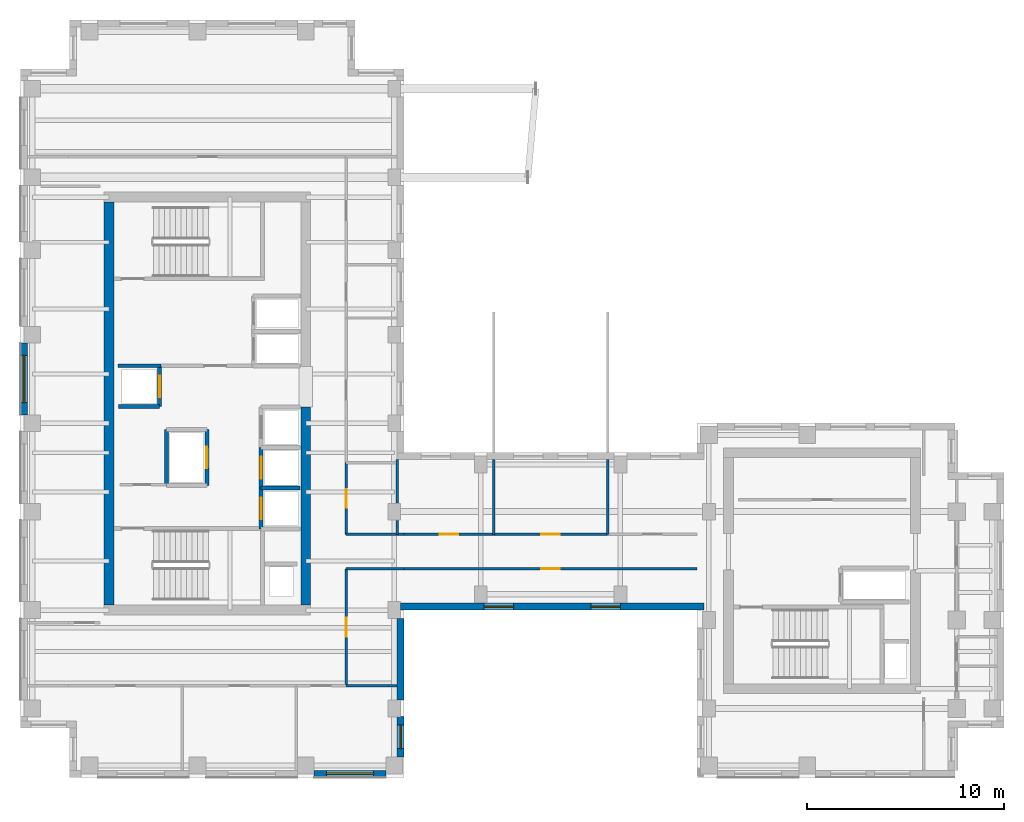
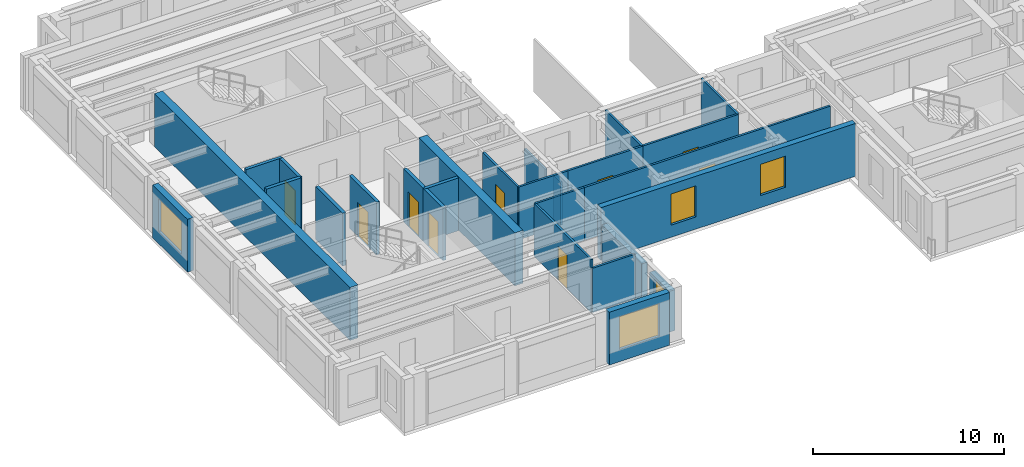
# One storey, part 5 of 11: 27 walls, 9 doors, 5 windows, 14 openings.
"""IFC4 building model written with IfcOpenShell, lengths in metres."""

from ifc_helpers import new_model, si_unit, direction, frame, frame_2d, origin, place, context, subcontext, project, spatial, rectangle, extrude, source, transform, mapped, material, layer, layer_set, type_object, element, fill, save


model = new_model("IFC4")

# Units and contexts
model_context = context("Model", 3, precision=1e-05, world=origin(), true_north=direction((0.0, 1.0)))
body_context = subcontext(model_context, "Body", "Model", "MODEL_VIEW")
ifc_project = project(units=[si_unit("LENGTHUNIT", "METRE"), si_unit("AREAUNIT", "SQUARE_METRE"), si_unit("VOLUMEUNIT", "CUBIC_METRE"), si_unit("PLANEANGLEUNIT", "RADIAN"), si_unit("MASSUNIT", "GRAM", prefix="KILO")], contexts=[model_context])

# Site, building, storey
site_placement = place(None, origin())
site = spatial("IfcSite", under=ifc_project, at=site_placement, CompositionType="ELEMENT")
building_placement = place(site_placement, origin())
building = spatial("IfcBuilding", under=site, at=building_placement, Name="Kharzan Plaza Tower", CompositionType="ELEMENT")
storey_placement = place(building_placement, frame((0.0, 0.0, 234.0)))
storey = spatial("IfcBuildingStorey", under=building, at=storey_placement, Name="L63", CompositionType="ELEMENT", Elevation=234.0)

# Wall, opening, window
ifc_material_1 = material(Name="Concrete C40/50", Category="concrete")
ifc_layer_1 = layer(ifc_material_1, 0.35009765625)
ifc_layer_set_1 = layer_set([ifc_layer_1], Name="Concrete C40/50")
wall_type_1 = type_object("IfcWallType", Name="WL-EXT-MAS-Z4", PredefinedType="SOLIDWALL", material=ifc_layer_set_1)
wall_1_placement = place(storey_placement, frame((0.175048828125, 22.076904296875, 0.0), z_axis=(0.0, 0.0, 1.0), x_axis=(0.0, -1.0, 0.0)))
wall_1 = element("IfcWall", 1, at=wall_1_placement, inside=storey, type_object=wall_type_1, Name="L63 Masonry-Frame Exterior Wall 19", PredefinedType="SOLIDWALL", context=body_context, shape_type="SweptSolid", body=[
    extrude(rectangle(XDim=3.65380859375, YDim=0.35009765625, at=frame_2d((1.826904296875, 0.0))), origin(), (0.0, 0.0, 1.0), 3.385009765625),
])
opening_1_placement = place(wall_1_placement, frame((0.626953125, 0.0, 0.780029296875)))
opening_1 = element("IfcOpeningElement", 2, at=opening_1_placement, cuts=wall_1, Name="Opening W2", PredefinedType="OPENING", context=body_context, shape_type="SweptSolid", body=[
    extrude(rectangle(XDim=2.39990234375, YDim=2.10009765625, at=frame_2d((1.199951171875, 1.050048828125))), frame((0.0, 0.18505859375, 0.0), z_axis=(0.0, -1.0, 0.0), x_axis=(1.0, 0.0, 0.0)), (0.0, 0.0, 1.0), 0.3701171875),
])
ifc_material_2 = material(Name="Low-E Double Glazing", Category="glass")
window_type_1 = type_object("IfcWindowType", Name="WN-REC-2400x2100", PartitioningType="SINGLE_PANEL", PredefinedType="WINDOW", material=ifc_material_2)
shared_shape_1 = source(origin(), body_context, "Body", "SweptSolid", [
    extrude(rectangle(XDim=2.39990234375, YDim=2.10009765625, at=frame_2d((1.199951171875, 1.050048828125))), frame((0.0, 0.030029296875, 0.0), z_axis=(0.0, -1.0, 0.0), x_axis=(1.0, 0.0, 0.0)), (0.0, 0.0, 1.0), 0.06005859375),
])
window_1_placement = place(opening_1_placement, origin())
window_1 = element("IfcWindow", 3, at=window_1_placement, inside=storey, type_object=window_type_1, Name="L63 Wide Recessed Solar-Control Window 19-1", OverallHeight=2.10009765625, OverallWidth=2.39990234375, PartitioningType="SINGLE_PANEL", PredefinedType="WINDOW", context=body_context, shape_type="MappedRepresentation", body=[
    mapped(shared_shape_1, transform((0.0, 0.0, 0.0), x_axis=(1.0, 0.0, 0.0), y_axis=(0.0, 1.0, 0.0), z_axis=(0.0, 0.0, 1.0))),
])
fill(opening_1, window_1)

wall_2_placement = place(storey_placement, frame((14.923095703125, 0.175048828125, 0.0), z_axis=(0.0, 0.0, 1.0), x_axis=(1.0, 0.0, 0.0)))
wall_2 = element("IfcWall", 4, at=wall_2_placement, inside=storey, type_object=wall_type_1, Name="L63 Masonry-Frame Exterior Wall 29", PredefinedType="SOLIDWALL", context=body_context, shape_type="SweptSolid", body=[
    extrude(rectangle(XDim=3.65380859375, YDim=0.35009765625, at=frame_2d((1.826904296875, 0.0))), origin(), (0.0, 0.0, 1.0), 3.385009765625),
])
opening_2_placement = place(wall_2_placement, frame((0.626953125, 0.0, 0.780029296875)))
opening_2 = element("IfcOpeningElement", 5, at=opening_2_placement, cuts=wall_2, Name="Opening W2", PredefinedType="OPENING", context=body_context, shape_type="SweptSolid", body=[
    extrude(rectangle(XDim=2.39990234375, YDim=2.10009765625, at=frame_2d((1.199951171875, 1.050048828125))), frame((0.0, 0.18505859375, 0.0), z_axis=(0.0, -1.0, 0.0), x_axis=(1.0, 0.0, 0.0)), (0.0, 0.0, 1.0), 0.3701171875),
])
window_2_placement = place(opening_2_placement, origin())
window_2 = element("IfcWindow", 6, at=window_2_placement, inside=storey, type_object=window_type_1, Name="L63 Wide Recessed Solar-Control Window 29-1", OverallHeight=2.10009765625, OverallWidth=2.39990234375, PartitioningType="SINGLE_PANEL", PredefinedType="WINDOW", context=body_context, shape_type="MappedRepresentation", body=[
    mapped(shared_shape_1, transform((0.0, 0.0, 0.0), x_axis=(1.0, 0.0, 0.0), y_axis=(0.0, 1.0, 0.0), z_axis=(0.0, 0.0, 1.0))),
])
fill(opening_2, window_2)

wall_3_placement = place(storey_placement, frame((19.324951171875, 1.02294921875, 0.0), z_axis=(0.0, 0.0, 1.0), x_axis=(0.0, 1.0, 0.0)))
wall_3 = element("IfcWall", 7, at=wall_3_placement, inside=storey, type_object=wall_type_1, Name="L63 Masonry-Frame Exterior Wall 30", PredefinedType="SOLIDWALL", context=body_context, shape_type="SweptSolid", body=[
    extrude(rectangle(XDim=2.053955078125, YDim=0.35009765625, at=frame_2d((1.02685546875, 0.0))), origin(), (0.0, 0.0, 1.0), 2.618896484375),
])
opening_3_placement = place(wall_3_placement, frame((0.427001953125, 0.0, 0.780029296875)))
opening_3 = element("IfcOpeningElement", 8, at=opening_3_placement, cuts=wall_3, Name="Opening W3", PredefinedType="OPENING", context=body_context, shape_type="SweptSolid", body=[
    extrude(rectangle(XDim=1.199951171875, YDim=1.658935546875, at=frame_2d((0.60009765625, 0.82958984375))), frame((0.0, 0.18505859375, 0.0), z_axis=(0.0, -1.0, 0.0), x_axis=(1.0, 0.0, 0.0)), (0.0, 0.0, 1.0), 0.3701171875),
])
window_type_2 = type_object("IfcWindowType", Name="WN-REC-1200x2100", PartitioningType="SINGLE_PANEL", PredefinedType="WINDOW", material=ifc_material_2)
shared_shape_2 = source(origin(), body_context, "Body", "SweptSolid", [
    extrude(rectangle(XDim=1.199951171875, YDim=1.658935546875, at=frame_2d((0.60009765625, 0.82958984375))), frame((0.0, 0.030029296875, 0.0), z_axis=(0.0, -1.0, 0.0), x_axis=(1.0, 0.0, 0.0)), (0.0, 0.0, 1.0), 0.06005859375),
])
window_3_placement = place(opening_3_placement, origin())
window_3 = element("IfcWindow", 9, at=window_3_placement, inside=storey, type_object=window_type_2, Name="L63 Recessed Solar-Control Window 30-1", OverallHeight=1.658935546875, OverallWidth=1.199951171875, PartitioningType="SINGLE_PANEL", PredefinedType="WINDOW", context=body_context, shape_type="MappedRepresentation", body=[
    mapped(shared_shape_2, transform((0.0, 0.0, 0.0), x_axis=(1.0, 0.0, 0.0), y_axis=(0.0, 1.0, 0.0), z_axis=(0.0, 0.0, 1.0))),
])
fill(opening_3, window_3)

# Wall, openings, windows
wall_4_placement = place(storey_placement, frame((19.322998046875, 8.675048828125, 0.0), z_axis=(0.0, 0.0, 1.0), x_axis=(1.0, 0.0, 0.0)))
wall_4 = element("IfcWall", 10, at=wall_4_placement, inside=storey, type_object=wall_type_1, Name="L63 Masonry-Frame Exterior Wall 32", PredefinedType="SOLIDWALL", context=body_context, shape_type="SweptSolid", body=[
    extrude(rectangle(XDim=15.427001953125, YDim=0.35009765625, at=frame_2d((7.71337890625, 0.0))), origin(), (0.0, 0.0, 1.0), 3.385009765625),
])
opening_4_placement = place(wall_4_placement, frame((4.2490234375, 0.0, 0.780029296875)))
opening_4 = element("IfcOpeningElement", 11, at=opening_4_placement, cuts=wall_4, Name="Opening W5", PredefinedType="OPENING", context=body_context, shape_type="SweptSolid", body=[
    extrude(rectangle(XDim=1.5, YDim=2.0, at=frame_2d((0.75, 1.0))), frame((0.0, 0.18505859375, 0.0), z_axis=(0.0, -1.0, 0.0), x_axis=(1.0, 0.0, 0.0)), (0.0, 0.0, 1.0), 0.3701171875),
])
opening_5_placement = place(wall_4_placement, frame((9.677978515625, 0.0, 0.780029296875)))
opening_5 = element("IfcOpeningElement", 12, at=opening_5_placement, cuts=wall_4, Name="Opening W5", PredefinedType="OPENING", context=body_context, shape_type="SweptSolid", body=[
    extrude(rectangle(XDim=1.5, YDim=2.0, at=frame_2d((0.75, 1.0))), frame((0.0, 0.18505859375, 0.0), z_axis=(0.0, -1.0, 0.0), x_axis=(1.0, 0.0, 0.0)), (0.0, 0.0, 1.0), 0.3701171875),
])
window_type_3 = type_object("IfcWindowType", Name="WN-SLT-1500x2000", PartitioningType="SINGLE_PANEL", PredefinedType="WINDOW", material=ifc_material_2)
shared_shape_3 = source(origin(), body_context, "Body", "SweptSolid", [
    extrude(rectangle(XDim=1.5, YDim=2.0, at=frame_2d((0.75, 1.0))), frame((0.0, 0.030029296875, 0.0), z_axis=(0.0, -1.0, 0.0), x_axis=(1.0, 0.0, 0.0)), (0.0, 0.0, 1.0), 0.06005859375),
])
window_4_placement = place(opening_4_placement, origin())
window_4 = element("IfcWindow", 13, at=window_4_placement, inside=storey, type_object=window_type_3, Name="L63 Recessed Solar-Control Window 32-1", OverallHeight=2.0, OverallWidth=1.5, PartitioningType="SINGLE_PANEL", PredefinedType="WINDOW", context=body_context, shape_type="MappedRepresentation", body=[
    mapped(shared_shape_3, transform((0.0, 0.0, 0.0), x_axis=(1.0, 0.0, 0.0), y_axis=(0.0, 1.0, 0.0), z_axis=(0.0, 0.0, 1.0))),
])
fill(opening_4, window_4)
window_5_placement = place(opening_5_placement, origin())
window_5 = element("IfcWindow", 14, at=window_5_placement, inside=storey, type_object=window_type_3, Name="L63 Recessed Solar-Control Window 32-2", OverallHeight=2.0, OverallWidth=1.5, PartitioningType="SINGLE_PANEL", PredefinedType="WINDOW", context=body_context, shape_type="MappedRepresentation", body=[
    mapped(shared_shape_3, transform((0.0, 0.0, 0.0), x_axis=(1.0, 0.0, 0.0), y_axis=(0.0, 1.0, 0.0), z_axis=(0.0, 0.0, 1.0))),
])
fill(opening_5, window_5)

# Wall, opening, door
ifc_material_3 = material(Name="Fire-Rated Gypsum Board Partition", Category="gypsum")
ifc_layer_2 = layer(ifc_material_3, 0.125)
ifc_layer_set_2 = layer_set([ifc_layer_2], Name="Fire-Rated Gypsum Board Partition")
wall_type_2 = type_object("IfcWallType", Name="WL-INT-PART-125", PredefinedType="PARTITIONING", material=ifc_layer_set_2)
wall_5_placement = place(storey_placement, frame((16.550048828125, 12.35009765625, 0.0), z_axis=(0.0, 0.0, 1.0), x_axis=(0.0, 1.0, 0.0)))
wall_5 = element("IfcWall", 15, at=wall_5_placement, inside=storey, type_object=wall_type_2, Name="L63 Interior Partition SH-AEWN1", PredefinedType="PARTITIONING", context=body_context, shape_type="SweptSolid", body=[
    extrude(rectangle(XDim=3.64990234375, YDim=0.125, at=frame_2d((1.824951171875, 0.0))), origin(), (0.0, 0.0, 1.0), 3.385009765625),
])
opening_6_placement = place(wall_5_placement, frame((1.35009765625, 0.0, 0.0)))
opening_6 = element("IfcOpeningElement", 16, at=opening_6_placement, cuts=wall_5, Name="Opening OD1", PredefinedType="OPENING", context=body_context, shape_type="SweptSolid", body=[
    extrude(rectangle(XDim=0.949951171875, YDim=2.14990234375, at=frame_2d((0.47509765625, 1.074951171875))), frame((0.0, 0.072509765625, 0.0), z_axis=(0.0, -1.0, 0.0), x_axis=(1.0, 0.0, 0.0)), (0.0, 0.0, 1.0), 0.14501953125),
])
ifc_material_4 = material(Name="Acoustic Solid-Core Stained Oak", Category="timber")
door_type_1 = type_object("IfcDoorType", Name="DR-OFF-SINGLE", OperationType="NOTDEFINED", PredefinedType="DOOR", material=ifc_material_4)
shared_shape_4 = source(origin(), body_context, "Body", "SweptSolid", [
    extrude(rectangle(XDim=0.949951171875, YDim=2.14990234375, at=frame_2d((0.47509765625, 1.074951171875))), frame((0.0, 0.02490234375, 0.0), z_axis=(0.0, -1.0, 0.0), x_axis=(1.0, 0.0, 0.0)), (0.0, 0.0, 1.0), 0.050048828125),
])
door_1_placement = place(opening_6_placement, origin())
door_1 = element("IfcDoor", 17, at=door_1_placement, inside=storey, type_object=door_type_1, Name="L63 Slot Collaboration Door", OperationType="SINGLE_SWING_RIGHT", OverallHeight=2.14990234375, OverallWidth=0.949951171875, PredefinedType="DOOR", context=body_context, shape_type="MappedRepresentation", body=[
    mapped(shared_shape_4, transform((0.0, 0.0, 0.0), x_axis=(1.0, 0.0, 0.0), y_axis=(0.0, 1.0, 0.0), z_axis=(0.0, 0.0, 1.0))),
])
fill(opening_6, door_1)

wall_6_placement = place(storey_placement, frame((16.550048828125, 4.64990234375, 0.0), z_axis=(0.0, 0.0, 1.0), x_axis=(0.0, 1.0, 0.0)))
wall_6 = element("IfcWall", 18, at=wall_6_placement, inside=storey, type_object=wall_type_2, Name="L63 Interior Partition SH-AEWS", PredefinedType="PARTITIONING", context=body_context, shape_type="SweptSolid", body=[
    extrude(rectangle(XDim=5.9501953125, YDim=0.125, at=frame_2d((2.97509765625, 0.0))), origin(), (0.0, 0.0, 1.0), 3.385009765625),
])
opening_7_placement = place(wall_6_placement, frame((2.5, 0.0, 0.0)))
opening_7 = element("IfcOpeningElement", 19, at=opening_7_placement, cuts=wall_6, Name="Opening OD1", PredefinedType="OPENING", context=body_context, shape_type="SweptSolid", body=[
    extrude(rectangle(XDim=0.949951171875, YDim=2.14990234375, at=frame_2d((0.47509765625, 1.074951171875))), frame((0.0, 0.072509765625, 0.0), z_axis=(0.0, -1.0, 0.0), x_axis=(1.0, 0.0, 0.0)), (0.0, 0.0, 1.0), 0.14501953125),
])
door_2_placement = place(opening_7_placement, origin())
door_2 = element("IfcDoor", 20, at=door_2_placement, inside=storey, type_object=door_type_1, Name="L63 Slot South Office Door", OperationType="SINGLE_SWING_LEFT", OverallHeight=2.14990234375, OverallWidth=0.949951171875, PredefinedType="DOOR", context=body_context, shape_type="MappedRepresentation", body=[
    mapped(shared_shape_4, transform((0.0, 0.0, 0.0), x_axis=(1.0, 0.0, 0.0), y_axis=(0.0, 1.0, 0.0), z_axis=(0.0, 0.0, 1.0))),
])
fill(opening_7, door_2)

wall_7_placement = place(storey_placement, frame((24.050048828125, 12.35009765625, 0.0), z_axis=(0.0, 0.0, 1.0), x_axis=(1.0, 0.0, 0.0)))
wall_7 = element("IfcWall", 21, at=wall_7_placement, inside=storey, type_object=wall_type_2, Name="L63 Interior Partition SH-SPNM", PredefinedType="PARTITIONING", context=body_context, shape_type="SweptSolid", body=[
    extrude(rectangle(XDim=5.800048828125, YDim=0.125, at=frame_2d((2.89990234375, 0.0))), origin(), (0.0, 0.0, 1.0), 3.385009765625),
])
opening_8_placement = place(wall_7_placement, frame((2.425048828125, 0.0, 0.0)))
opening_8 = element("IfcOpeningElement", 22, at=opening_8_placement, cuts=wall_7, Name="Opening OD1", PredefinedType="OPENING", context=body_context, shape_type="SweptSolid", body=[
    extrude(rectangle(XDim=0.949951171875, YDim=2.14990234375, at=frame_2d((0.47509765625, 1.074951171875))), frame((0.0, 0.072509765625, 0.0), z_axis=(0.0, -1.0, 0.0), x_axis=(1.0, 0.0, 0.0)), (0.0, 0.0, 1.0), 0.14501953125),
])
door_3_placement = place(opening_8_placement, origin())
door_3 = element("IfcDoor", 23, at=door_3_placement, inside=storey, type_object=door_type_1, Name="L63 Reclaimed Spine Door", OperationType="SINGLE_SWING_LEFT", OverallHeight=2.14990234375, OverallWidth=0.949951171875, PredefinedType="DOOR", context=body_context, shape_type="MappedRepresentation", body=[
    mapped(shared_shape_4, transform((0.0, 0.0, 0.0), x_axis=(1.0, 0.0, 0.0), y_axis=(0.0, 1.0, 0.0), z_axis=(0.0, 0.0, 1.0))),
])
fill(opening_8, door_3)

wall_8_placement = place(storey_placement, frame((19.5, 12.35009765625, 0.0), z_axis=(0.0, 0.0, 1.0), x_axis=(1.0, 0.0, 0.0)))
wall_8 = element("IfcWall", 24, at=wall_8_placement, inside=storey, type_object=wall_type_2, Name="L63 Interior Partition SH-SPNW1", PredefinedType="PARTITIONING", context=body_context, shape_type="SweptSolid", body=[
    extrude(rectangle(XDim=4.550048828125, YDim=0.125, at=frame_2d((2.27490234375, 0.0))), origin(), (0.0, 0.0, 1.0), 3.385009765625),
])
opening_9_placement = place(wall_8_placement, frame((1.800048828125, 0.0, 0.0)))
opening_9 = element("IfcOpeningElement", 25, at=opening_9_placement, cuts=wall_8, Name="Opening OD1", PredefinedType="OPENING", context=body_context, shape_type="SweptSolid", body=[
    extrude(rectangle(XDim=0.949951171875, YDim=2.14990234375, at=frame_2d((0.47509765625, 1.074951171875))), frame((0.0, 0.072509765625, 0.0), z_axis=(0.0, -1.0, 0.0), x_axis=(1.0, 0.0, 0.0)), (0.0, 0.0, 1.0), 0.14501953125),
])
door_4_placement = place(opening_9_placement, origin())
door_4 = element("IfcDoor", 26, at=door_4_placement, inside=storey, type_object=door_type_1, Name="L63 North-West Spine Door", OperationType="SINGLE_SWING_LEFT", OverallHeight=2.14990234375, OverallWidth=0.949951171875, PredefinedType="DOOR", context=body_context, shape_type="MappedRepresentation", body=[
    mapped(shared_shape_4, transform((0.0, 0.0, 0.0), x_axis=(1.0, 0.0, 0.0), y_axis=(0.0, 1.0, 0.0), z_axis=(0.0, 0.0, 1.0))),
])
fill(opening_9, door_4)

wall_9_placement = place(storey_placement, frame((19.5, 10.60009765625, 0.0), z_axis=(0.0, 0.0, 1.0), x_axis=(1.0, 0.0, 0.0)))
wall_9 = element("IfcWall", 27, at=wall_9_placement, inside=storey, type_object=wall_type_2, Name="L63 Interior Partition SH-SPS1", PredefinedType="PARTITIONING", context=body_context, shape_type="SweptSolid", body=[
    extrude(rectangle(XDim=14.89990234375, YDim=0.125, at=frame_2d((7.449951171875, 0.0))), origin(), (0.0, 0.0, 1.0), 3.385009765625),
])
opening_10_placement = place(wall_9_placement, frame((6.97509765625, 0.0, 0.0)))
opening_10 = element("IfcOpeningElement", 28, at=opening_10_placement, cuts=wall_9, Name="Opening OD1", PredefinedType="OPENING", context=body_context, shape_type="SweptSolid", body=[
    extrude(rectangle(XDim=0.949951171875, YDim=2.14990234375, at=frame_2d((0.47509765625, 1.074951171875))), frame((0.0, 0.072509765625, 0.0), z_axis=(0.0, -1.0, 0.0), x_axis=(1.0, 0.0, 0.0)), (0.0, 0.0, 1.0), 0.14501953125),
])
door_5_placement = place(opening_10_placement, origin())
door_5 = element("IfcDoor", 29, at=door_5_placement, inside=storey, type_object=door_type_1, Name="L63 South Spine Studio Door", OperationType="SINGLE_SWING_RIGHT", OverallHeight=2.14990234375, OverallWidth=0.949951171875, PredefinedType="DOOR", context=body_context, shape_type="MappedRepresentation", body=[
    mapped(shared_shape_4, transform((0.0, 0.0, 0.0), x_axis=(1.0, 0.0, 0.0), y_axis=(0.0, 1.0, 0.0), z_axis=(0.0, 0.0, 1.0))),
])
fill(opening_10, door_5)

ifc_layer_3 = layer(ifc_material_1, 0.199951171875)
ifc_layer_set_3 = layer_set([ifc_layer_3], Name="Concrete C40/50")
wall_type_3 = type_object("IfcWallType", Name="WL-INT-SHAFT-200", PredefinedType="PARTITIONING", material=ifc_layer_set_3)
wall_10_placement = place(storey_placement, frame((12.22998046875, 12.6298828125, 0.0), z_axis=(0.0, 0.0, 1.0), x_axis=(0.0, 1.0, 0.0)))
wall_10 = element("IfcWall", 30, at=wall_10_placement, inside=storey, type_object=wall_type_3, Name="L63 Interior Partition SHF-PL-H1-W", PredefinedType="PARTITIONING", context=body_context, shape_type="SweptSolid", body=[
    extrude(rectangle(XDim=2.070068359375, YDim=0.199951171875, at=frame_2d((1.03515625, 0.0))), origin(), (0.0, 0.0, 1.0), 3.385009765625),
])
opening_11_placement = place(wall_10_placement, frame((0.485107421875, 0.0, 0.0)))
opening_11 = element("IfcOpeningElement", 31, at=opening_11_placement, cuts=wall_10, Name="Opening LD", PredefinedType="OPENING", context=body_context, shape_type="SweptSolid", body=[
    extrude(rectangle(XDim=1.10009765625, YDim=2.199951171875, at=frame_2d((0.550048828125, 1.10009765625))), frame((0.0, 0.10986328125, 0.0), z_axis=(0.0, -1.0, 0.0), x_axis=(1.0, 0.0, 0.0)), (0.0, 0.0, 1.0), 0.219970703125),
])
ifc_material_5 = material(Name="Brushed Stainless Steel", Category="steel")
door_type_2 = type_object("IfcDoorType", Name="DR-LIFT-SLIDE", OperationType="SLIDING_TO_LEFT", PredefinedType="DOOR", material=ifc_material_5)
shared_shape_5 = source(origin(), body_context, "Body", "SweptSolid", [
    extrude(rectangle(XDim=1.10009765625, YDim=2.199951171875, at=frame_2d((0.550048828125, 1.10009765625))), frame((0.0, 0.02490234375, 0.0), z_axis=(0.0, -1.0, 0.0), x_axis=(1.0, 0.0, 0.0)), (0.0, 0.0, 1.0), 0.050048828125),
])
door_6_placement = place(opening_11_placement, origin())
door_6 = element("IfcDoor", 32, at=door_6_placement, inside=storey, type_object=door_type_2, Name="L63 High-Rise Passenger Lift PL-H1 Sliding Landing Door", OperationType="SLIDING_TO_LEFT", OverallHeight=2.199951171875, OverallWidth=1.10009765625, PredefinedType="DOOR", context=body_context, shape_type="MappedRepresentation", body=[
    mapped(shared_shape_5, transform((0.0, 0.0, 0.0), x_axis=(1.0, 0.0, 0.0), y_axis=(0.0, 1.0, 0.0), z_axis=(0.0, 0.0, 1.0))),
])
fill(opening_11, door_6)

wall_11_placement = place(storey_placement, frame((12.22998046875, 14.699951171875, 0.0), z_axis=(0.0, 0.0, 1.0), x_axis=(0.0, 1.0, 0.0)))
wall_11 = element("IfcWall", 33, at=wall_11_placement, inside=storey, type_object=wall_type_3, Name="L63 Interior Partition SHF-PL-H2-W", PredefinedType="PARTITIONING", context=body_context, shape_type="SweptSolid", body=[
    extrude(rectangle(XDim=2.070068359375, YDim=0.199951171875, at=frame_2d((1.03515625, 0.0))), origin(), (0.0, 0.0, 1.0), 3.385009765625),
])
opening_12_placement = place(wall_11_placement, frame((0.485107421875, 0.0, 0.0)))
opening_12 = element("IfcOpeningElement", 34, at=opening_12_placement, cuts=wall_11, Name="Opening LD", PredefinedType="OPENING", context=body_context, shape_type="SweptSolid", body=[
    extrude(rectangle(XDim=1.10009765625, YDim=2.199951171875, at=frame_2d((0.550048828125, 1.10009765625))), frame((0.0, 0.10986328125, 0.0), z_axis=(0.0, -1.0, 0.0), x_axis=(1.0, 0.0, 0.0)), (0.0, 0.0, 1.0), 0.219970703125),
])
door_7_placement = place(opening_12_placement, origin())
door_7 = element("IfcDoor", 35, at=door_7_placement, inside=storey, type_object=door_type_2, Name="L63 High-Rise Passenger Lift PL-H2 Sliding Landing Door", OperationType="SLIDING_TO_LEFT", OverallHeight=2.199951171875, OverallWidth=1.10009765625, PredefinedType="DOOR", context=body_context, shape_type="MappedRepresentation", body=[
    mapped(shared_shape_5, transform((0.0, 0.0, 0.0), x_axis=(1.0, 0.0, 0.0), y_axis=(0.0, 1.0, 0.0), z_axis=(0.0, 0.0, 1.0))),
])
fill(opening_12, door_7)

wall_12_placement = place(storey_placement, frame((7.070068359375, 18.840087890625, 0.0), z_axis=(0.0, 0.0, 1.0), x_axis=(0.0, 1.0, 0.0)))
wall_12 = element("IfcWall", 36, at=wall_12_placement, inside=storey, type_object=wall_type_3, Name="L63 Interior Partition SHF-PL-H4-E", PredefinedType="PARTITIONING", context=body_context, shape_type="SweptSolid", body=[
    extrude(rectangle(XDim=2.059814453125, YDim=0.199951171875, at=frame_2d((1.02978515625, 0.0))), origin(), (0.0, 0.0, 1.0), 3.385009765625),
])
opening_13_placement = place(wall_12_placement, frame((0.47998046875, 0.0, 0.0)))
opening_13 = element("IfcOpeningElement", 37, at=opening_13_placement, cuts=wall_12, Name="Opening LD", PredefinedType="OPENING", context=body_context, shape_type="SweptSolid", body=[
    extrude(rectangle(XDim=1.10009765625, YDim=2.199951171875, at=frame_2d((0.550048828125, 1.10009765625))), frame((0.0, 0.10986328125, 0.0), z_axis=(0.0, -1.0, 0.0), x_axis=(1.0, 0.0, 0.0)), (0.0, 0.0, 1.0), 0.219970703125),
])
door_8_placement = place(opening_13_placement, origin())
door_8 = element("IfcDoor", 38, at=door_8_placement, inside=storey, type_object=door_type_2, Name="L63 High-Rise Passenger Lift PL-H4 Sliding Landing Door", OperationType="SLIDING_TO_LEFT", OverallHeight=2.199951171875, OverallWidth=1.10009765625, PredefinedType="DOOR", context=body_context, shape_type="MappedRepresentation", body=[
    mapped(shared_shape_5, transform((0.0, 0.0, 0.0), x_axis=(1.0, 0.0, 0.0), y_axis=(0.0, 1.0, 0.0), z_axis=(0.0, 0.0, 1.0))),
])
fill(opening_13, door_8)

wall_13_placement = place(storey_placement, frame((9.469970703125, 14.830078125, 0.0), z_axis=(0.0, 0.0, 1.0), x_axis=(0.0, 1.0, 0.0)))
wall_13 = element("IfcWall", 39, at=wall_13_placement, inside=storey, type_object=wall_type_3, Name="L63 Interior Partition SHF-SVL-1-E", PredefinedType="PARTITIONING", context=body_context, shape_type="SweptSolid", body=[
    extrude(rectangle(XDim=2.83984375, YDim=0.199951171875, at=frame_2d((1.419921875, 0.0))), origin(), (0.0, 0.0, 1.0), 3.385009765625),
])
opening_14_placement = place(wall_13_placement, frame((0.8701171875, 0.0, 0.0)))
opening_14 = element("IfcOpeningElement", 40, at=opening_14_placement, cuts=wall_13, Name="Opening LD", PredefinedType="OPENING", context=body_context, shape_type="SweptSolid", body=[
    extrude(rectangle(XDim=1.10009765625, YDim=2.199951171875, at=frame_2d((0.550048828125, 1.10009765625))), frame((0.0, 0.10986328125, 0.0), z_axis=(0.0, -1.0, 0.0), x_axis=(1.0, 0.0, 0.0)), (0.0, 0.0, 1.0), 0.219970703125),
])
door_9_placement = place(opening_14_placement, origin())
door_9 = element("IfcDoor", 41, at=door_9_placement, inside=storey, type_object=door_type_2, Name="L63 Service Lift SVL-1 Sliding Landing Door", OperationType="SLIDING_TO_LEFT", OverallHeight=2.199951171875, OverallWidth=1.10009765625, PredefinedType="DOOR", context=body_context, shape_type="MappedRepresentation", body=[
    mapped(shared_shape_5, transform((0.0, 0.0, 0.0), x_axis=(1.0, 0.0, 0.0), y_axis=(0.0, 1.0, 0.0), z_axis=(0.0, 0.0, 1.0))),
])
fill(opening_14, door_9)

# Walls
ifc_layer_4 = layer(ifc_material_1, 0.179931640625)
ifc_layer_set_4 = layer_set([ifc_layer_4], Name="Concrete C40/50")
wall_type_4 = type_object("IfcWallType", Name="WL-INT-FIRE-180", PredefinedType="PARTITIONING", material=ifc_layer_set_4)
shared_shape_6 = source(origin(), body_context, "Body", "SweptSolid", [
    extrude(rectangle(XDim=2.199951171875, YDim=0.179931640625, at=frame_2d((1.10009765625, 0.0))), origin(), (0.0, 0.0, 1.0), 3.385009765625),
])
wall_14_placement = place(storey_placement, frame((4.949951171875, 20.919921875, 0.0), z_axis=(0.0, 0.0, 1.0), x_axis=(1.0, 0.0, 0.0)))
element("IfcWall", 42, at=wall_14_placement, inside=storey, type_object=wall_type_4, Name="L63 Interior Partition CA-FF-SW", PredefinedType="PARTITIONING", context=body_context, shape_type="MappedRepresentation", body=[
    mapped(shared_shape_6, transform((0.0, 0.0, 0.0), x_axis=(1.0, 0.0, 0.0), y_axis=(0.0, 1.0, 0.0), z_axis=(0.0, 0.0, 1.0))),
])
shared_shape_7 = source(origin(), body_context, "Body", "SweptSolid", [
    extrude(rectangle(XDim=2.090087890625, YDim=0.199951171875, at=frame_2d((1.044921875, 0.0))), origin(), (0.0, 0.0, 1.0), 3.385009765625),
])
wall_15_placement = place(storey_placement, frame((4.97998046875, 18.840087890625, 0.0), z_axis=(0.0, 0.0, 1.0), x_axis=(1.0, 0.0, 0.0)))
element("IfcWall", 43, at=wall_15_placement, inside=storey, type_object=wall_type_3, Name="L63 Interior Partition SHF-PL-H4-S", PredefinedType="PARTITIONING", context=body_context, shape_type="MappedRepresentation", body=[
    mapped(shared_shape_7, transform((0.0, 0.0, 0.0), x_axis=(1.0, 0.0, 0.0), y_axis=(0.0, 1.0, 0.0), z_axis=(0.0, 0.0, 1.0))),
])
shared_shape_8 = source(origin(), body_context, "Body", "SweptSolid", [
    extrude(rectangle(XDim=2.83984375, YDim=0.199951171875, at=frame_2d((1.419921875, 0.0))), origin(), (0.0, 0.0, 1.0), 3.385009765625),
])
wall_16_placement = place(storey_placement, frame((7.429931640625, 14.830078125, 0.0), z_axis=(0.0, 0.0, 1.0), x_axis=(0.0, 1.0, 0.0)))
element("IfcWall", 44, at=wall_16_placement, inside=storey, type_object=wall_type_3, Name="L63 Interior Partition SHF-SVL-1-W", PredefinedType="PARTITIONING", context=body_context, shape_type="MappedRepresentation", body=[
    mapped(shared_shape_8, transform((0.0, 0.0, 0.0), x_axis=(1.0, 0.0, 0.0), y_axis=(0.0, 1.0, 0.0), z_axis=(0.0, 0.0, 1.0))),
])
shared_shape_9 = source(origin(), body_context, "Body", "SweptSolid", [
    extrude(rectangle(XDim=2.949951171875, YDim=0.125, at=frame_2d((1.47509765625, 0.0))), origin(), (0.0, 0.0, 1.0), 3.385009765625),
])
for number, where, z_axis, x_axis, name in (
    (45, (16.550048828125, 12.35009765625, 0.0), (0.0, 0.0, 1.0), (1.0, 0.0, 0.0), "L63 Interior Partition SH-SPNW0"),
    (46, (16.550048828125, 10.60009765625, 0.0), (0.0, 0.0, 1.0), (1.0, 0.0, 0.0), "L63 Interior Partition SH-SPS0"),
):
    element("IfcWall", number, at=place(storey_placement, frame(where, z_axis=z_axis, x_axis=x_axis)), inside=storey, type_object=wall_type_2, Name=name, PredefinedType="PARTITIONING", context=body_context, shape_type="MappedRepresentation", body=[
        mapped(shared_shape_9, transform((0.0, 0.0, 0.0), x_axis=(1.0, 0.0, 0.0), y_axis=(0.0, 1.0, 0.0), z_axis=(0.0, 0.0, 1.0))),
    ])
shared_shape_10 = source(origin(), body_context, "Body", "SweptSolid", [
    extrude(rectangle(XDim=2.597900390625, YDim=0.125, at=frame_2d((1.298828125, 0.0))), origin(), (0.0, 0.0, 1.0), 2.847900390625),
])
wall_17_placement = place(storey_placement, frame((16.550048828125, 4.64990234375, 0.0), z_axis=(0.0, 0.0, 1.0), x_axis=(1.0, 0.0, 0.0)))
element("IfcWall", 47, at=wall_17_placement, inside=storey, type_object=wall_type_2, Name="L63 Interior Partition SH-SSE-3", PredefinedType="PARTITIONING", context=body_context, shape_type="MappedRepresentation", body=[
    mapped(shared_shape_10, transform((0.0, 0.0, 0.0), x_axis=(1.0, 0.0, 0.0), y_axis=(0.0, 1.0, 0.0), z_axis=(0.0, 0.0, 1.0))),
])
shared_shape_11 = source(origin(), body_context, "Body", "SweptSolid", [
    extrude(rectangle(XDim=1.989990234375, YDim=0.199951171875, at=frame_2d((0.9951171875, 0.0))), origin(), (0.0, 0.0, 1.0), 3.385009765625),
])
wall_18_placement = place(storey_placement, frame((12.22998046875, 14.699951171875, 0.0), z_axis=(0.0, 0.0, 1.0), x_axis=(1.0, 0.0, 0.0)))
element("IfcWall", 48, at=wall_18_placement, inside=storey, type_object=wall_type_3, Name="L63 Interior Partition SHF-PL-H1-N", PredefinedType="PARTITIONING", context=body_context, shape_type="MappedRepresentation", body=[
    mapped(shared_shape_11, transform((0.0, 0.0, 0.0), x_axis=(1.0, 0.0, 0.0), y_axis=(0.0, 1.0, 0.0), z_axis=(0.0, 0.0, 1.0))),
])
ifc_material_6 = material(Name="Concrete C50/60", Category="concrete")
ifc_layer_5 = layer(ifc_material_6, 0.5)
ifc_layer_set_5 = layer_set([ifc_layer_5], Name="Concrete C50/60")
wall_type_5 = type_object("IfcWallType", Name="WL-CORE-500", PredefinedType="SHEAR", material=ifc_layer_set_5)
shared_shape_12 = source(origin(), body_context, "Body", "SweptSolid", [
    extrude(rectangle(XDim=10.070068359375, YDim=0.5, at=frame_2d((5.03515625, 0.0))), origin(), (0.0, 0.0, 1.0), 3.39990234375),
])
wall_19_placement = place(storey_placement, frame((14.5, 8.75, 0.0), z_axis=(0.0, 0.0, 1.0), x_axis=(0.0, 1.0, 0.0)))
element("IfcWall", 49, at=wall_19_placement, inside=storey, type_object=wall_type_5, Name="L63 CORE-A east shear pier 1", PredefinedType="SHEAR", context=body_context, shape_type="MappedRepresentation", body=[
    mapped(shared_shape_12, transform((0.0, 0.0, 0.0), x_axis=(1.0, 0.0, 0.0), y_axis=(0.0, 1.0, 0.0), z_axis=(0.0, 0.0, 1.0))),
])
shared_shape_13 = source(origin(), body_context, "Body", "SweptSolid", [
    extrude(rectangle(XDim=20.5, YDim=0.5, at=frame_2d((10.25, 0.0))), origin(), (0.0, 0.0, 1.0), 3.39990234375),
])
wall_20_placement = place(storey_placement, frame((4.5, 8.75, 0.0), z_axis=(0.0, 0.0, 1.0), x_axis=(0.0, 1.0, 0.0)))
element("IfcWall", 50, at=wall_20_placement, inside=storey, type_object=wall_type_5, Name="L63 CORE-A west RC shear wall", PredefinedType="SHEAR", context=body_context, shape_type="MappedRepresentation", body=[
    mapped(shared_shape_13, transform((0.0, 0.0, 0.0), x_axis=(1.0, 0.0, 0.0), y_axis=(0.0, 1.0, 0.0), z_axis=(0.0, 0.0, 1.0))),
])
shared_shape_14 = source(origin(), body_context, "Body", "SweptSolid", [
    extrude(rectangle(XDim=0.699951171875, YDim=0.125, at=frame_2d((0.35009765625, 0.0))), origin(), (0.0, 0.0, 1.0), 2.77294921875),
])
wall_21_placement = place(storey_placement, frame((19.14990234375, 12.35009765625, 0.0), z_axis=(0.0, 0.0, 1.0), x_axis=(0.0, 1.0, 0.0)))
element("IfcWall", 51, at=wall_21_placement, inside=storey, type_object=wall_type_2, Name="L63 Interior Partition SH-AEN-DIV-S1", PredefinedType="PARTITIONING", context=body_context, shape_type="MappedRepresentation", body=[
    mapped(shared_shape_14, transform((0.0, 0.0, 0.0), x_axis=(1.0, 0.0, 0.0), y_axis=(0.0, 1.0, 0.0), z_axis=(0.0, 0.0, 1.0))),
])
shared_shape_15 = source(origin(), body_context, "Body", "SweptSolid", [
    extrude(rectangle(XDim=3.7978515625, YDim=0.125, at=frame_2d((1.89892578125, 0.0))), origin(), (0.0, 0.0, 1.0), 3.385009765625),
])
for number, where, z_axis, x_axis, name in (
    (52, (24.050048828125, 12.35009765625, 0.0), (0.0, 0.0, 1.0), (0.0, 1.0, 0.0), "L63 Interior Partition SH-SPML-S1"),
    (53, (29.85009765625, 12.35009765625, 0.0), (0.0, 0.0, 1.0), (0.0, 1.0, 0.0), "L63 Interior Partition SH-SPMR-S1"),
):
    element("IfcWall", number, at=place(storey_placement, frame(where, z_axis=z_axis, x_axis=x_axis)), inside=storey, type_object=wall_type_2, Name=name, PredefinedType="PARTITIONING", context=body_context, shape_type="MappedRepresentation", body=[
        mapped(shared_shape_15, transform((0.0, 0.0, 0.0), x_axis=(1.0, 0.0, 0.0), y_axis=(0.0, 1.0, 0.0), z_axis=(0.0, 0.0, 1.0))),
    ])
shared_shape_16 = source(origin(), body_context, "Body", "SweptSolid", [
    extrude(rectangle(XDim=4.15380859375, YDim=0.35009765625, at=frame_2d((2.076904296875, 0.0))), origin(), (0.0, 0.0, 1.0), 2.618896484375),
])
wall_22_placement = place(storey_placement, frame((19.324951171875, 3.923095703125, 0.0), z_axis=(0.0, 0.0, 1.0), x_axis=(0.0, 1.0, 0.0)))
element("IfcWall", 54, at=wall_22_placement, inside=storey, type_object=wall_type_1, Name="L63 Masonry-Frame Exterior Wall 31", PredefinedType="SOLIDWALL", context=body_context, shape_type="MappedRepresentation", body=[
    mapped(shared_shape_16, transform((0.0, 0.0, 0.0), x_axis=(1.0, 0.0, 0.0), y_axis=(0.0, 1.0, 0.0), z_axis=(0.0, 0.0, 1.0))),
])
shared_shape_17 = source(origin(), body_context, "Body", "SweptSolid", [
    extrude(rectangle(XDim=2.197998046875, YDim=0.125, at=frame_2d((1.09912109375, 0.0))), origin(), (0.0, 0.0, 1.0), 2.618896484375),
])
wall_23_placement = place(storey_placement, frame((19.14990234375, 13.949951171875, 0.0), z_axis=(0.0, 0.0, 1.0), x_axis=(0.0, 1.0, 0.0)))
element("IfcWall", 55, at=wall_23_placement, inside=storey, type_object=wall_type_2, Name="L63 Interior Partition SH-AEN-DIV-S2", PredefinedType="PARTITIONING", context=body_context, shape_type="MappedRepresentation", body=[
    mapped(shared_shape_17, transform((0.0, 0.0, 0.0), x_axis=(1.0, 0.0, 0.0), y_axis=(0.0, 1.0, 0.0), z_axis=(0.0, 0.0, 1.0))),
])

save(model, "model.ifc")
